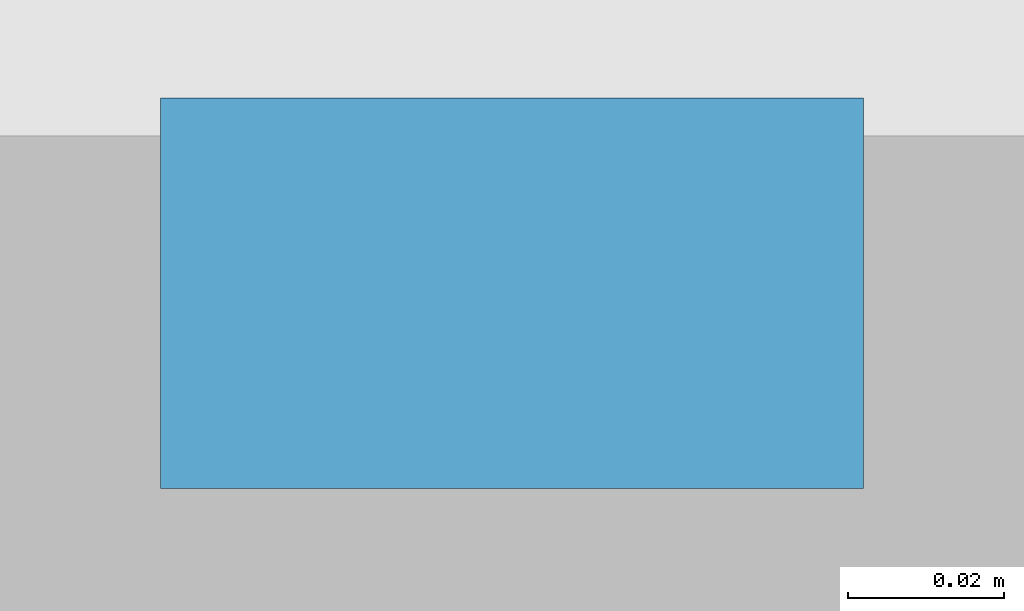
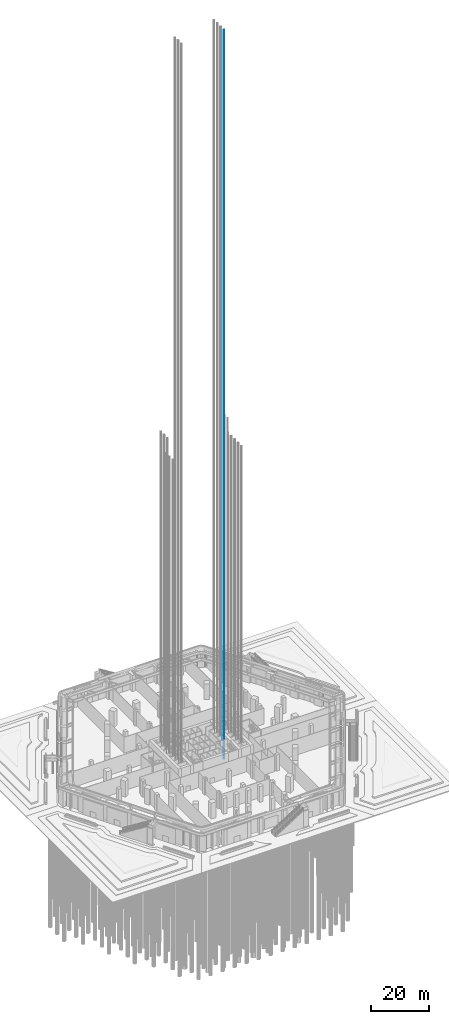
# One storey, part 46 of 68: 1 discrete accessory.
"""IFC4 building model written with IfcOpenShell, lengths in metres."""

from ifc_helpers import new_model, si_unit, direction, frame, origin, origin_2d, place, context, subcontext, project, spatial, rectangle, extrude, element, save


model = new_model("IFC4")

# Units and contexts
model_context = context("Model", 3, precision=1e-05, world=origin(), true_north=direction((0.0, 1.0)))
body_context = subcontext(model_context, "Body", "Model", "MODEL_VIEW")
ifc_project = project(units=[si_unit("LENGTHUNIT", "METRE"), si_unit("AREAUNIT", "SQUARE_METRE"), si_unit("VOLUMEUNIT", "CUBIC_METRE"), si_unit("PLANEANGLEUNIT", "RADIAN"), si_unit("MASSUNIT", "GRAM", prefix="KILO")], contexts=[model_context])

# Site, building, storey
site_placement = place(None, origin())
site = spatial("IfcSite", under=ifc_project, at=site_placement, CompositionType="ELEMENT")
building_placement = place(site_placement, origin())
building = spatial("IfcBuilding", under=site, at=building_placement, Name="Kolab Exchange Tower", CompositionType="ELEMENT")
storey_placement = place(building_placement, origin())
storey = spatial("IfcBuildingStorey", under=building, at=storey_placement, Name="L00", CompositionType="ELEMENT", Elevation=0.0)

# Discrete accessory
discrete_accessory_placement = place(storey_placement, frame((7.800048828125, -2.27001953125, -1.599853515625), z_axis=(0.0, 0.0, 1.0), x_axis=(1.0, 0.0, 0.0)))
element("IfcDiscreteAccessory", 1, at=discrete_accessory_placement, inside=storey, Name="Guide rail SV1-1", ObjectType="GUIDE RAIL", PredefinedType="USERDEFINED", context=body_context, shape_type="SweptSolid", body=[
    extrude(rectangle(XDim=0.090087890625, YDim=0.050048828125, at=origin_2d()), origin(), (0.0, 0.0, 1.0), 307.89990234375),
])

save(model, "model.ifc")
